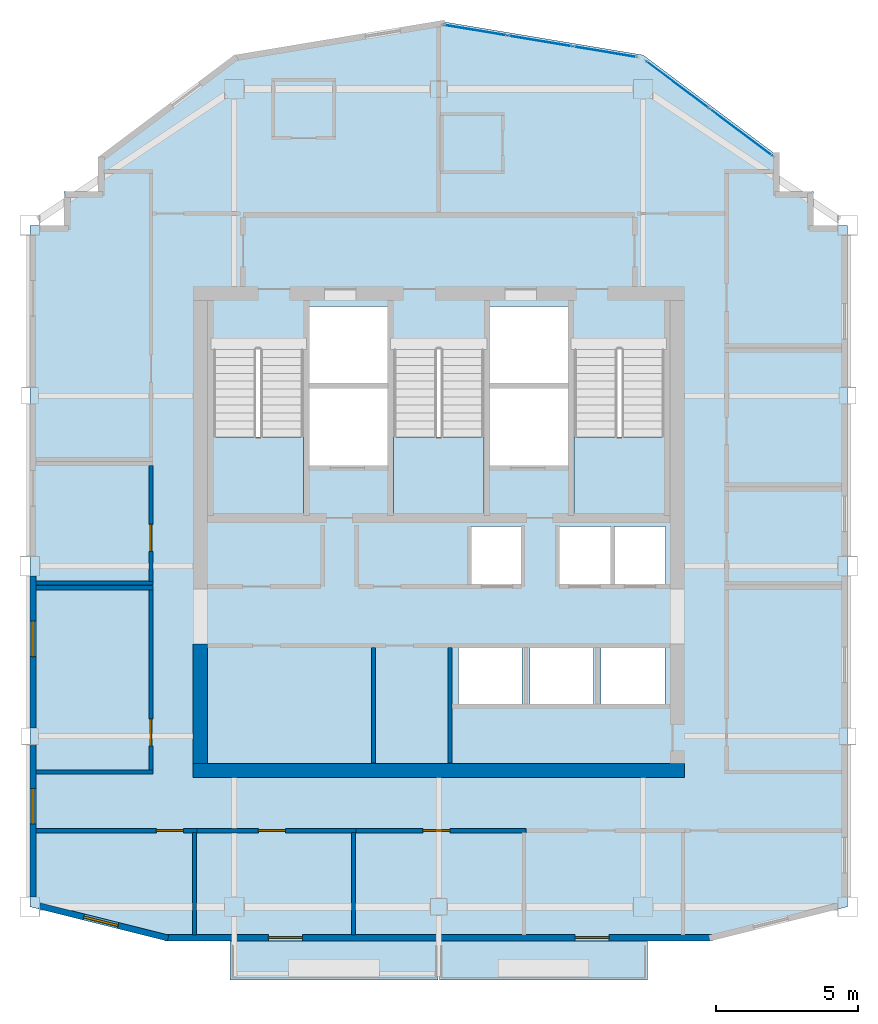
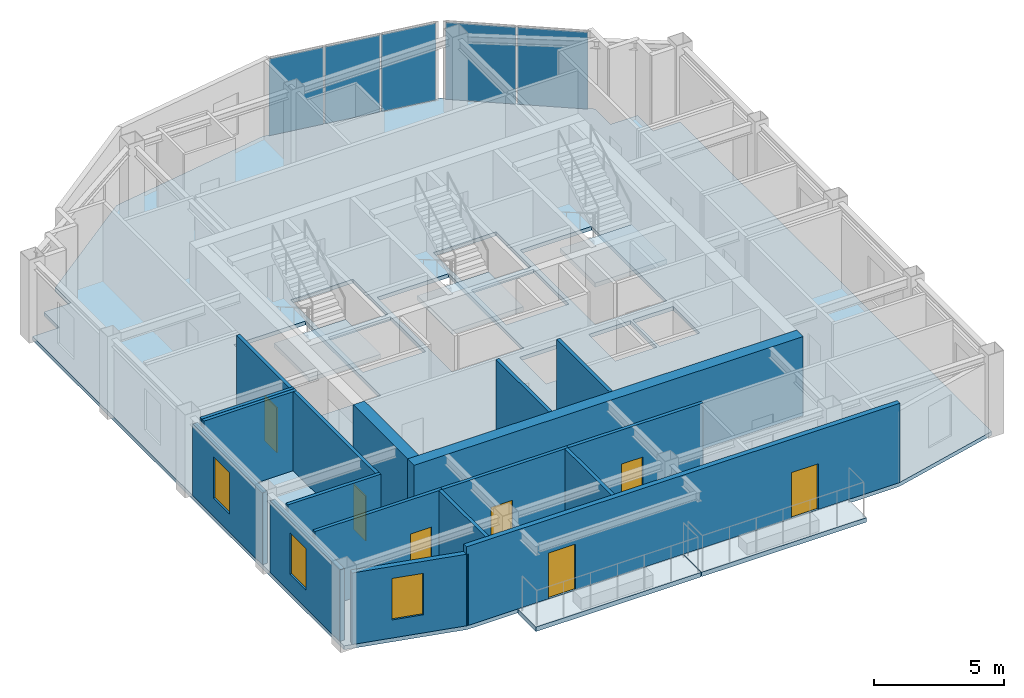
# One storey, part 4 of 8: 18 walls, 7 doors, 6 slabs, 5 plates, 3 windows, 10 openings, 5 elements without a shape of their own.
"""IFC4 building model written with IfcOpenShell, lengths in metres."""

from ifc_helpers import new_model, si_unit, direction, frame, frame_2d, origin, origin_2d, place, context, subcontext, project, spatial, polyline, rectangle, outline, extrude, material, layer, layer_set, type_object, element, fill, aggregate, save


model = new_model("IFC4")

# Units and contexts
model_context = context("Model", 3, precision=1e-05, world=origin(), true_north=direction((0.0, 1.0)))
body_context = subcontext(model_context, "Body", "Model", "MODEL_VIEW")
ifc_project = project(units=[si_unit("LENGTHUNIT", "METRE"), si_unit("AREAUNIT", "SQUARE_METRE"), si_unit("VOLUMEUNIT", "CUBIC_METRE"), si_unit("PLANEANGLEUNIT", "RADIAN"), si_unit("MASSUNIT", "GRAM", prefix="KILO")], contexts=[model_context])

# Site, building, storey
site_placement = place(None, origin())
site = spatial("IfcSite", under=ifc_project, at=site_placement, CompositionType="ELEMENT")
building_placement = place(site_placement, origin())
building = spatial("IfcBuilding", under=site, at=building_placement, Name="Haolan Belvedere Tower", CompositionType="ELEMENT")
storey_placement = place(building_placement, frame((0.0, 0.0, 297.800048828125)))
storey = spatial("IfcBuildingStorey", under=building, at=storey_placement, Name="L75", CompositionType="ELEMENT", Elevation=297.800048828125)

# Curtain wall, plates
ifc_material_1 = material(Name="Anodised champagne-silver aluminium 6063-T6 and Low-E glass", Category="aluminium")
ifc_layer_1 = layer(ifc_material_1, 0.14501953125, Name="Anodised champagne-silver aluminium 6063-T6 and Low-E glass")
ifc_layer_set_1 = layer_set([ifc_layer_1], Name="Anodised champagne-silver aluminium 6063-T6 and Low-E glass")
curtain_wall_type = type_object("IfcCurtainWallType", Name="CW-SYS-05", PredefinedType="NOTDEFINED", material=ifc_layer_set_1)
curtain_wall_1_placement = place(storey_placement, origin())
curtain_wall_1 = element("IfcCurtainWall", 1, at=curtain_wall_1_placement, inside=storey, type_object=curtain_wall_type, Name="L75 CW-SYS-05 ribbon curtain wall 8.1", PredefinedType="NOTDEFINED")
ifc_material_2 = material(Name="Double silver Low-E laminated insulating glass", Category="glass")
ifc_layer_2 = layer(ifc_material_2, 0.02197265625, Name="Double silver Low-E laminated insulating glass")
ifc_layer_set_2 = layer_set([ifc_layer_2], Name="Double silver Low-E laminated insulating glass")
plate_type = type_object("IfcPlateType", Name="CW-SYS-05-PNL", PredefinedType="CURTAIN_PANEL", material=ifc_layer_set_2)
plate_1_placement = place(storey_placement, frame((49.03955078125, 48.8828125, 0.0498046875), z_axis=(0.0, 0.0, 1.0), x_axis=(-0.799997871638, 0.600002837806, 0.0)))
plate_1 = element("IfcPlate", 2, at=plate_1_placement, type_object=plate_type, Name="CW-05 panel 1.1", PredefinedType="CURTAIN_PANEL", context=body_context, shape_type="SweptSolid", body=[
    extrude(rectangle(XDim=2.738037109375, YDim=0.02197265625, at=origin_2d()), origin(), (0.0, 0.0, 1.0), 3.6201171875),
])
plate_2_placement = place(storey_placement, frame((46.805908203125, 50.55810546875, 0.0498046875), z_axis=(0.0, 0.0, 1.0), x_axis=(-0.799997871638, 0.600002837806, 0.0)))
plate_2 = element("IfcPlate", 3, at=plate_2_placement, type_object=plate_type, Name="CW-05 panel 2.1", PredefinedType="CURTAIN_PANEL", context=body_context, shape_type="SweptSolid", body=[
    extrude(rectangle(XDim=2.738037109375, YDim=0.02197265625, at=origin_2d()), origin(), (0.0, 0.0, 1.0), 3.6201171875),
])
aggregate(curtain_wall_1, [plate_1, plate_2])

curtain_wall_2_placement = place(storey_placement, origin())
curtain_wall_2 = element("IfcCurtainWall", 4, at=curtain_wall_2_placement, inside=storey, type_object=curtain_wall_type, Name="L75 CW-SYS-05 ribbon curtain wall 9.1", PredefinedType="NOTDEFINED")
plate_3_placement = place(storey_placement, frame((44.257568359375, 51.712158203125, 0.0498046875), z_axis=(0.0, 0.0, 1.0), x_axis=(-0.98639276122, 0.164405962825, 0.0)))
plate_3 = element("IfcPlate", 5, at=plate_3_placement, type_object=plate_type, Name="CW-05 panel 1.1", PredefinedType="CURTAIN_PANEL", context=body_context, shape_type="SweptSolid", body=[
    extrude(rectangle(XDim=2.24365234375, YDim=0.02197265625, at=origin_2d()), origin(), (0.0, 0.0, 1.0), 3.6201171875),
])
plate_4_placement = place(storey_placement, frame((41.977783203125, 52.09228515625, 0.0498046875), z_axis=(0.0, 0.0, 1.0), x_axis=(-0.98639276122, 0.164405962825, 0.0)))
plate_4 = element("IfcPlate", 6, at=plate_4_placement, type_object=plate_type, Name="CW-05 panel 2.1", PredefinedType="CURTAIN_PANEL", context=body_context, shape_type="SweptSolid", body=[
    extrude(rectangle(XDim=2.270751953125, YDim=0.02197265625, at=origin_2d()), origin(), (0.0, 0.0, 1.0), 3.6201171875),
])
plate_5_placement = place(storey_placement, frame((39.697998046875, 52.47216796875, 0.0498046875), z_axis=(0.0, 0.0, 1.0), x_axis=(-0.98639276122, 0.164405962825, 0.0)))
plate_5 = element("IfcPlate", 7, at=plate_5_placement, type_object=plate_type, Name="CW-05 panel 3.1", PredefinedType="CURTAIN_PANEL", context=body_context, shape_type="SweptSolid", body=[
    extrude(rectangle(XDim=2.24365234375, YDim=0.02197265625, at=origin_2d()), origin(), (0.0, 0.0, 1.0), 3.6201171875),
])
aggregate(curtain_wall_2, [plate_3, plate_4, plate_5])

# Slabs
ifc_material_3 = material(Name="Concrete C40/50", Category="concrete")
ifc_layer_3 = layer(ifc_material_3, 0.2099609375, Name="Concrete C40/50")
ifc_layer_set_3 = layer_set([ifc_layer_3], Name="Concrete C40/50")
slab_type_1 = type_object("IfcSlabType", Name="SL-BAL-210", PredefinedType="FLOOR", material=ifc_layer_set_3)
slab_1_placement = place(storey_placement, frame((0.0, 0.0, -0.22998046875)))
element("IfcSlab", 8, at=slab_1_placement, inside=storey, type_object=slab_type_1, Name="L75 structural tree-planter balcony slab BAL-L75-S1", PredefinedType="FLOOR", context=body_context, shape_type="SweptSolid", body=[
    extrude(outline(polyline([(31.050048828125, 19.02001953125), (38.3798828125, 19.02001953125), (38.3798828125, 20.39990234375), (31.050048828125, 20.39990234375), (31.050048828125, 19.02001953125)])), origin(), (0.0, 0.0, 1.0), 0.2099609375),
])
slab_2_placement = place(storey_placement, frame((0.0, 0.0, -0.22998046875)))
element("IfcSlab", 9, at=slab_2_placement, inside=storey, type_object=slab_type_1, Name="L75 structural tree-planter balcony slab BAL-L75-S2", PredefinedType="FLOOR", context=body_context, shape_type="SweptSolid", body=[
    extrude(outline(polyline([(38.419921875, 19.02001953125), (45.75, 19.02001953125), (45.75, 20.39990234375), (38.419921875, 20.39990234375), (38.419921875, 19.02001953125)])), origin(), (0.0, 0.0, 1.0), 0.2099609375),
])
ifc_layer_4 = layer(ifc_material_3, 0.179931640625, Name="Concrete C40/50")
ifc_layer_set_4 = layer_set([ifc_layer_4], Name="Concrete C40/50")
slab_type_2 = type_object("IfcSlabType", Name="SL-FLR-180", PredefinedType="FLOOR", material=ifc_layer_set_4)
slab_3_placement = place(storey_placement, frame((0.0, 0.0, -0.179931640625)))
element("IfcSlab", 10, at=slab_3_placement, inside=storey, type_object=slab_type_2, Name="L75 structural floor slab", PredefinedType="FLOOR", context=body_context, shape_type="SweptSolid", body=[
    extrude(outline(polyline([(24.0, 21.60009765625), (28.800048828125, 20.39990234375), (48.0, 20.39990234375), (52.800048828125, 21.60009765625), (52.800048828125, 45.60009765625), (52.800048828125, 45.60009765625), (51.60009765625, 45.60009765625), (51.60009765625, 46.800048828125), (50.39990234375, 46.800048828125), (50.39990234375, 48.0), (45.60009765625, 51.60009765625), (38.39990234375, 52.800048828125), (31.199951171875, 51.60009765625), (26.39990234375, 48.0), (26.39990234375, 46.800048828125), (25.199951171875, 46.800048828125), (25.199951171875, 45.60009765625), (24.0, 45.60009765625), (24.0, 45.60009765625), (24.0, 21.60009765625)]), holes=[polyline([(30.449951171875, 41.22998046875), (30.449951171875, 35.449951171875), (33.6298828125, 35.449951171875), (33.6298828125, 41.22998046875), (30.449951171875, 41.22998046875)]), polyline([(36.81005859375, 41.22998046875), (36.81005859375, 35.449951171875), (39.989990234375, 35.449951171875), (39.989990234375, 41.22998046875), (36.81005859375, 41.22998046875)]), polyline([(43.169921875, 41.22998046875), (43.169921875, 35.449951171875), (46.35009765625, 35.449951171875), (46.35009765625, 41.22998046875), (43.169921875, 41.22998046875)]), polyline([(33.830078125, 40.050048828125), (36.610107421875, 40.050048828125), (36.610107421875, 42.75), (33.830078125, 42.75), (33.830078125, 40.050048828125)]), polyline([(33.830078125, 37.14990234375), (36.610107421875, 37.14990234375), (36.610107421875, 39.85009765625), (33.830078125, 39.85009765625), (33.830078125, 37.14990234375)]), polyline([(40.18994140625, 40.050048828125), (42.969970703125, 40.050048828125), (42.969970703125, 42.75), (40.18994140625, 42.75), (40.18994140625, 40.050048828125)]), polyline([(40.18994140625, 37.14990234375), (42.969970703125, 37.14990234375), (42.969970703125, 39.85009765625), (40.18994140625, 39.85009765625), (40.18994140625, 37.14990234375)]), polyline([(39.5400390625, 32.949951171875), (41.389892578125, 32.949951171875), (41.389892578125, 35.0), (39.5400390625, 35.0), (39.5400390625, 32.949951171875)]), polyline([(42.6201171875, 32.949951171875), (44.469970703125, 32.949951171875), (44.469970703125, 35.0), (42.6201171875, 35.0), (42.6201171875, 32.949951171875)]), polyline([(44.580078125, 32.949951171875), (46.3798828125, 32.949951171875), (46.3798828125, 35.0), (44.580078125, 35.0), (44.580078125, 32.949951171875)]), polyline([(39.10009765625, 28.75), (41.340087890625, 28.75), (41.340087890625, 30.75), (39.10009765625, 30.75), (39.10009765625, 28.75)]), polyline([(41.610107421875, 28.75), (43.85009765625, 28.75), (43.85009765625, 30.75), (41.610107421875, 30.75), (41.610107421875, 28.75)]), polyline([(44.1201171875, 28.75), (46.360107421875, 28.75), (46.360107421875, 30.75), (44.1201171875, 30.75), (44.1201171875, 28.75)])]), origin(), (0.0, 0.0, 1.0), 0.179931640625),
])

# Stair, slab
stair_type = type_object("IfcStairType", Name="STR-DL-24R-162", PredefinedType="HALF_TURN_STAIR", material=ifc_material_3)
stair_1_placement = place(storey_placement, origin())
stair_1 = element("IfcStair", 11, at=stair_1_placement, inside=storey, type_object=stair_type, Name="L75 Smokeproof Core Exit Stair ST1", PredefinedType="HALF_TURN_STAIR")
ifc_layer_5 = layer(ifc_material_3, 0.199951171875, Name="Concrete C40/50")
ifc_layer_set_5 = layer_set([ifc_layer_5], Name="Concrete C40/50")
slab_type_3 = type_object("IfcSlabType", Name="SL-LAND-200", PredefinedType="LANDING", material=ifc_layer_set_5)
slab_4_placement = place(storey_placement, frame((0.0, 0.0, 1.75)))
slab_4 = element("IfcSlab", 12, at=slab_4_placement, type_object=slab_type_3, Name="ST1 landing 1", PredefinedType="LANDING", context=body_context, shape_type="SweptSolid", body=[
    extrude(outline(polyline([(30.449951171875, 38.14990234375), (30.449951171875, 35.449951171875), (33.6298828125, 35.449951171875), (33.6298828125, 38.14990234375), (30.449951171875, 38.14990234375)])), origin(), (0.0, 0.0, 1.0), 0.199951171875),
])
aggregate(stair_1, [slab_4])

stair_2_placement = place(storey_placement, origin())
stair_2 = element("IfcStair", 13, at=stair_2_placement, inside=storey, type_object=stair_type, Name="L75 Smokeproof Core Exit Stair ST3", PredefinedType="HALF_TURN_STAIR")
slab_5_placement = place(storey_placement, frame((0.0, 0.0, 1.75)))
slab_5 = element("IfcSlab", 14, at=slab_5_placement, type_object=slab_type_3, Name="ST3 landing 1", PredefinedType="LANDING", context=body_context, shape_type="SweptSolid", body=[
    extrude(outline(polyline([(36.81005859375, 38.14990234375), (36.81005859375, 35.449951171875), (39.989990234375, 35.449951171875), (39.989990234375, 38.14990234375), (36.81005859375, 38.14990234375)])), origin(), (0.0, 0.0, 1.0), 0.199951171875),
])
aggregate(stair_2, [slab_5])

stair_3_placement = place(storey_placement, origin())
stair_3 = element("IfcStair", 15, at=stair_3_placement, inside=storey, type_object=stair_type, Name="L75 Smokeproof Core Exit Stair ST2", PredefinedType="HALF_TURN_STAIR")
slab_6_placement = place(storey_placement, frame((0.0, 0.0, 1.75)))
slab_6 = element("IfcSlab", 16, at=slab_6_placement, type_object=slab_type_3, Name="ST2 landing 1", PredefinedType="LANDING", context=body_context, shape_type="SweptSolid", body=[
    extrude(outline(polyline([(43.169921875, 38.14990234375), (43.169921875, 35.449951171875), (46.35009765625, 35.449951171875), (46.35009765625, 38.14990234375), (43.169921875, 38.14990234375)])), origin(), (0.0, 0.0, 1.0), 0.199951171875),
])
aggregate(stair_3, [slab_6])

# Walls
ifc_material_4 = material(Name="Concrete C50/60", Category="concrete")
ifc_layer_6 = layer(ifc_material_4, 0.5, Name="Concrete C50/60")
ifc_layer_set_6 = layer_set([ifc_layer_6], Name="Concrete C50/60")
wall_type_1 = type_object("IfcWallType", Name="WL-CORE-500", PredefinedType="SHEAR", material=ifc_layer_set_6)
wall_1_placement = place(storey_placement, frame((29.75, 26.39990234375, 0.0), z_axis=(0.0, 0.0, 1.0), x_axis=(1.0, 0.0, 0.0)))
element("IfcWall", 17, at=wall_1_placement, inside=storey, type_object=wall_type_1, Name="L75 central core south shear wall", PredefinedType="SHEAR", context=body_context, shape_type="SweptSolid", body=[
    extrude(rectangle(XDim=17.300048828125, YDim=0.5, at=frame_2d((8.64990234375, 0.0))), origin(), (0.0, 0.0, 1.0), 3.719970703125),
])
wall_2_placement = place(storey_placement, frame((30.0, 26.64990234375, 0.0), z_axis=(0.0, 0.0, 1.0), x_axis=(0.0, 1.0, 0.0)))
element("IfcWall", 18, at=wall_2_placement, inside=storey, type_object=wall_type_1, Name="L75 central core shear wall WS", PredefinedType="SHEAR", context=body_context, shape_type="SweptSolid", body=[
    extrude(rectangle(XDim=4.2001953125, YDim=0.5, at=frame_2d((2.10009765625, 0.0))), origin(), (0.0, 0.0, 1.0), 3.719970703125),
])

# Wall, openings, doors
ifc_material_5 = material(Name="Precast concrete C40/50", Category="concrete")
ifc_layer_7 = layer(ifc_material_5, 0.219970703125, Name="Precast concrete C40/50")
ifc_layer_set_7 = layer_set([ifc_layer_7], Name="Precast concrete C40/50")
wall_type_2 = type_object("IfcWallType", Name="WL-EXT-220", PredefinedType="SOLIDWALL", material=ifc_layer_set_7)
wall_3_placement = place(storey_placement, frame((28.758544921875, 20.510009765625, 0.0), z_axis=(0.0, 0.0, 1.0), x_axis=(1.0, 0.0, 0.0)))
wall_3 = element("IfcWall", 19, at=wall_3_placement, inside=storey, type_object=wall_type_2, Name="L75 pale-metal exterior spandrel wall 1.1", PredefinedType="SOLIDWALL", context=body_context, shape_type="SweptSolid", body=[
    extrude(rectangle(XDim=19.282958984375, YDim=0.219970703125, at=frame_2d((9.6416015625, 0.0))), origin(), (0.0, 0.0, 1.0), 3.719970703125),
])
opening_1_placement = place(wall_3_placement, frame((4.841552734375, 0.0, 0.0), z_axis=(0.0, 0.0, 1.0), x_axis=(-1.0, 0.0, 0.0)))
opening_1 = element("IfcOpeningElement", 20, at=opening_1_placement, cuts=wall_3, Name="Opening BD-01", PredefinedType="OPENING", context=body_context, shape_type="SweptSolid", body=[
    extrude(rectangle(XDim=1.199951171875, YDim=2.14990234375, at=frame_2d((0.60009765625, 1.074951171875))), frame((0.0, 0.119873046875, 0.0), z_axis=(0.0, -1.0, 0.0), x_axis=(1.0, 0.0, 0.0)), (0.0, 0.0, 1.0), 0.239990234375),
])
opening_2_placement = place(wall_3_placement, frame((15.641357421875, 0.0, 0.0), z_axis=(0.0, 0.0, 1.0), x_axis=(-1.0, 0.0, 0.0)))
opening_2 = element("IfcOpeningElement", 21, at=opening_2_placement, cuts=wall_3, Name="Opening BD-01", PredefinedType="OPENING", context=body_context, shape_type="SweptSolid", body=[
    extrude(rectangle(XDim=1.199951171875, YDim=2.14990234375, at=frame_2d((0.60009765625, 1.074951171875))), frame((0.0, 0.119873046875, 0.0), z_axis=(0.0, -1.0, 0.0), x_axis=(1.0, 0.0, 0.0)), (0.0, 0.0, 1.0), 0.239990234375),
])
ifc_material_6 = material(Name="Thermally broken pale-metal aluminium and Low-E glass", Category="aluminium")
door_type_1 = type_object("IfcDoorType", Name="DR-BAL-1200", OperationType="NOTDEFINED", PredefinedType="DOOR", material=ifc_material_6)
door_1_placement = place(opening_1_placement, origin())
door_1 = element("IfcDoor", 22, at=door_1_placement, inside=storey, type_object=door_type_1, Name="L75 tree-balcony access door 1", OperationType="SINGLE_SWING_LEFT", OverallHeight=2.14990234375, OverallWidth=1.199951171875, PredefinedType="DOOR", context=body_context, shape_type="SweptSolid", body=[
    extrude(rectangle(XDim=1.199951171875, YDim=2.14990234375, at=frame_2d((0.60009765625, 1.074951171875))), frame((0.0, 0.02490234375, 0.0), z_axis=(0.0, -1.0, 0.0), x_axis=(1.0, 0.0, 0.0)), (0.0, 0.0, 1.0), 0.050048828125),
])
fill(opening_1, door_1)
door_2_placement = place(opening_2_placement, origin())
door_2 = element("IfcDoor", 23, at=door_2_placement, inside=storey, type_object=door_type_1, Name="L75 tree-balcony access door 2", OperationType="SINGLE_SWING_RIGHT", OverallHeight=2.14990234375, OverallWidth=1.199951171875, PredefinedType="DOOR", context=body_context, shape_type="SweptSolid", body=[
    extrude(rectangle(XDim=1.199951171875, YDim=2.14990234375, at=frame_2d((0.60009765625, 1.074951171875))), frame((0.0, 0.02490234375, 0.0), z_axis=(0.0, -1.0, 0.0), x_axis=(1.0, 0.0, 0.0)), (0.0, 0.0, 1.0), 0.050048828125),
])
fill(opening_2, door_2)

# Wall, opening, window
wall_4_placement = place(storey_placement, frame((24.110107421875, 33.258056640625, 0.0), z_axis=(0.0, 0.0, 1.0), x_axis=(0.0, -1.0, 0.0)))
wall_4 = element("IfcWall", 24, at=wall_4_placement, inside=storey, type_object=wall_type_2, Name="L75 pale-metal exterior spandrel wall 16.3", PredefinedType="SOLIDWALL", context=body_context, shape_type="SweptSolid", body=[
    extrude(rectangle(XDim=5.365966796875, YDim=0.219970703125, at=frame_2d((2.68310546875, 0.0))), origin(), (0.0, 0.0, 1.0), 3.364990234375),
])
opening_3_placement = place(wall_4_placement, frame((1.60009765625, 0.0, 0.85009765625)))
opening_3 = element("IfcOpeningElement", 25, at=opening_3_placement, cuts=wall_4, Name="Opening W-04", PredefinedType="OPENING", context=body_context, shape_type="SweptSolid", body=[
    extrude(rectangle(XDim=1.25, YDim=1.949951171875, at=frame_2d((0.625, 0.97509765625))), frame((0.0, 0.119873046875, 0.0), z_axis=(0.0, -1.0, 0.0), x_axis=(1.0, 0.0, 0.0)), (0.0, 0.0, 1.0), 0.239990234375),
])
ifc_material_7 = material(Name="Anodised aluminium 6063-T6 and Low-E glass", Category="aluminium")
window_type = type_object("IfcWindowType", Name="WN-DECO-Z4", PartitioningType="SINGLE_PANEL", PredefinedType="WINDOW", material=ifc_material_7)
window_1_placement = place(opening_3_placement, origin())
window_1 = element("IfcWindow", 26, at=window_1_placement, inside=storey, type_object=window_type, Name="L75 Art Deco chevron window 1", OverallHeight=1.949951171875, OverallWidth=1.25, PartitioningType="SINGLE_PANEL", PredefinedType="WINDOW", context=body_context, shape_type="SweptSolid", body=[
    extrude(rectangle(XDim=1.25, YDim=1.949951171875, at=frame_2d((0.625, 0.97509765625))), frame((0.0, 0.030029296875, 0.0), z_axis=(0.0, -1.0, 0.0), x_axis=(1.0, 0.0, 0.0)), (0.0, 0.0, 1.0), 0.06005859375),
])
fill(opening_3, window_1)

wall_5_placement = place(storey_placement, frame((24.110107421875, 27.30810546875, 0.0), z_axis=(0.0, 0.0, 1.0), x_axis=(0.0, -1.0, 0.0)))
wall_5 = element("IfcWall", 27, at=wall_5_placement, inside=storey, type_object=wall_type_2, Name="L75 pale-metal exterior spandrel wall 16.4", PredefinedType="SOLIDWALL", context=body_context, shape_type="SweptSolid", body=[
    extrude(rectangle(XDim=5.3662109375, YDim=0.219970703125, at=frame_2d((2.68310546875, 0.0))), origin(), (0.0, 0.0, 1.0), 3.364990234375),
])
opening_4_placement = place(wall_5_placement, frame((1.54296875, 0.0, 0.85009765625)))
opening_4 = element("IfcOpeningElement", 28, at=opening_4_placement, cuts=wall_5, Name="Opening W-04", PredefinedType="OPENING", context=body_context, shape_type="SweptSolid", body=[
    extrude(rectangle(XDim=1.25, YDim=1.949951171875, at=frame_2d((0.625, 0.97509765625))), frame((0.0, 0.119873046875, 0.0), z_axis=(0.0, -1.0, 0.0), x_axis=(1.0, 0.0, 0.0)), (0.0, 0.0, 1.0), 0.239990234375),
])
window_2_placement = place(opening_4_placement, origin())
window_2 = element("IfcWindow", 29, at=window_2_placement, inside=storey, type_object=window_type, Name="L75 Art Deco chevron window 1", OverallHeight=1.949951171875, OverallWidth=1.25, PartitioningType="SINGLE_PANEL", PredefinedType="WINDOW", context=body_context, shape_type="SweptSolid", body=[
    extrude(rectangle(XDim=1.25, YDim=1.949951171875, at=frame_2d((0.625, 0.97509765625))), frame((0.0, 0.030029296875, 0.0), z_axis=(0.0, -1.0, 0.0), x_axis=(1.0, 0.0, 0.0)), (0.0, 0.0, 1.0), 0.06005859375),
])
fill(opening_4, window_2)

wall_6_placement = place(storey_placement, frame((24.342041015625, 21.6279296875, 0.0), z_axis=(0.0, 0.0, 1.0), x_axis=(0.970136341762, -0.242560257242, 0.0)))
wall_6 = element("IfcWall", 30, at=wall_6_placement, inside=storey, type_object=wall_type_2, Name="L75 pale-metal exterior spandrel wall 17.1", PredefinedType="SOLIDWALL", context=body_context, shape_type="SweptSolid", body=[
    extrude(rectangle(XDim=4.664306640625, YDim=0.219970703125, at=frame_2d((2.33203125, 0.0))), origin(), (0.0, 0.0, 1.0), 3.364990234375),
])
opening_5_placement = place(wall_6_placement, frame((1.60009765625, 0.0, 0.85009765625)))
opening_5 = element("IfcOpeningElement", 31, at=opening_5_placement, cuts=wall_6, Name="Opening W-04", PredefinedType="OPENING", context=body_context, shape_type="SweptSolid", body=[
    extrude(rectangle(XDim=1.25, YDim=1.949951171875, at=frame_2d((0.625, 0.97509765625))), frame((0.0, 0.119873046875, 0.0), z_axis=(0.0, -1.0, 0.0), x_axis=(1.0, 0.0, 0.0)), (0.0, 0.0, 1.0), 0.239990234375),
])
window_3_placement = place(opening_5_placement, origin())
window_3 = element("IfcWindow", 32, at=window_3_placement, inside=storey, type_object=window_type, Name="L75 Art Deco chevron window 1", OverallHeight=1.949951171875, OverallWidth=1.25, PartitioningType="SINGLE_PANEL", PredefinedType="WINDOW", context=body_context, shape_type="SweptSolid", body=[
    extrude(rectangle(XDim=1.25, YDim=1.949951171875, at=frame_2d((0.625, 0.97509765625))), frame((0.0, 0.030029296875, 0.0), z_axis=(0.0, -1.0, 0.0), x_axis=(1.0, 0.0, 0.0)), (0.0, 0.0, 1.0), 0.06005859375),
])
fill(opening_5, window_3)

# Walls
ifc_material_8 = material(Name="Double gypsum acoustic stud partition", Category="masonry")
ifc_layer_8 = layer(ifc_material_8, 0.14990234375, Name="Double gypsum acoustic stud partition")
ifc_layer_set_8 = layer_set([ifc_layer_8], Name="Double gypsum acoustic stud partition")
wall_type_3 = type_object("IfcWallType", Name="WL-PART-150", PredefinedType="PARTITIONING", material=ifc_layer_set_8)
wall_7_placement = place(storey_placement, frame((36.10009765625, 26.659912109375, 0.0), z_axis=(0.0, 0.0, 1.0), x_axis=(0.0, 1.0, 0.0)))
element("IfcWall", 33, at=wall_7_placement, inside=storey, type_object=wall_type_3, Name="L75 interior partition IW-L75-DIV-REUSE-PM", PredefinedType="PARTITIONING", context=body_context, shape_type="SweptSolid", body=[
    extrude(rectangle(XDim=4.0751953125, YDim=0.14990234375, at=frame_2d((2.03759765625, 0.0))), origin(), (0.0, 0.0, 1.0), 3.719970703125),
])
wall_8_placement = place(storey_placement, frame((24.2119140625, 33.0, 0.0), z_axis=(0.0, 0.0, 1.0), x_axis=(1.0, 0.0, 0.0)))
element("IfcWall", 34, at=wall_8_placement, inside=storey, type_object=wall_type_3, Name="L75 interior partition IW-L75-HSK-S", PredefinedType="PARTITIONING", context=body_context, shape_type="SweptSolid", body=[
    extrude(rectangle(XDim=4.128173828125, YDim=0.14990234375, at=frame_2d((2.06396484375, 0.0))), origin(), (0.0, 0.0, 1.0), 3.719970703125),
])

# Wall, opening, door
wall_9_placement = place(storey_placement, frame((28.260009765625, 33.06005859375, 0.0), z_axis=(0.0, 0.0, 1.0), x_axis=(0.0, 1.0, 0.0)))
wall_9 = element("IfcWall", 35, at=wall_9_placement, inside=storey, type_object=wall_type_3, Name="L75 interior partition IW-L75-HSK-E", PredefinedType="PARTITIONING", context=body_context, shape_type="SweptSolid", body=[
    extrude(rectangle(XDim=4.079833984375, YDim=0.14990234375, at=frame_2d((2.0400390625, 0.0))), origin(), (0.0, 0.0, 1.0), 3.719970703125),
])
opening_6_placement = place(wall_9_placement, frame((2.010009765625, 0.0, 0.0), z_axis=(0.0, 0.0, 1.0), x_axis=(-1.0, 0.0, 0.0)))
opening_6 = element("IfcOpeningElement", 36, at=opening_6_placement, cuts=wall_9, Name="Opening ID-03", PredefinedType="OPENING", context=body_context, shape_type="SweptSolid", body=[
    extrude(rectangle(XDim=0.949951171875, YDim=2.1201171875, at=frame_2d((0.47509765625, 1.06005859375))), frame((0.0, 0.0849609375, 0.0), z_axis=(0.0, -1.0, 0.0), x_axis=(1.0, 0.0, 0.0)), (0.0, 0.0, 1.0), 0.169921875),
])
ifc_material_9 = material(Name="Painted solid-core timber", Category="wood")
door_type_2 = type_object("IfcDoorType", Name="DR-INT-950", OperationType="NOTDEFINED", PredefinedType="DOOR", material=ifc_material_9)
door_3_placement = place(opening_6_placement, origin())
door_3 = element("IfcDoor", 37, at=door_3_placement, inside=storey, type_object=door_type_2, Name="L75 door ID-L75-HSK", OperationType="SINGLE_SWING_LEFT", OverallHeight=2.1201171875, OverallWidth=0.949951171875, PredefinedType="DOOR", context=body_context, shape_type="SweptSolid", body=[
    extrude(rectangle(XDim=0.949951171875, YDim=2.1201171875, at=frame_2d((0.47509765625, 1.06005859375))), frame((0.0, 0.02490234375, 0.0), z_axis=(0.0, -1.0, 0.0), x_axis=(1.0, 0.0, 0.0)), (0.0, 0.0, 1.0), 0.050048828125),
])
fill(opening_6, door_3)

# Walls
for number, where, z_axis, x_axis, name in (
    (38, (24.2119140625, 32.840087890625, 0.0), (0.0, 0.0, 1.0), (1.0, 0.0, 0.0), "L75 interior partition IW-L75-PKTW-N"),
    (39, (24.2119140625, 26.35009765625, 0.0), (0.0, 0.0, 1.0), (1.0, 0.0, 0.0), "L75 interior partition IW-L75-PKTW-S"),
):
    element("IfcWall", number, at=place(storey_placement, frame(where, z_axis=z_axis, x_axis=x_axis)), inside=storey, type_object=wall_type_3, Name=name, PredefinedType="PARTITIONING", context=body_context, shape_type="SweptSolid", body=[
        extrude(rectangle(XDim=4.128173828125, YDim=0.14990234375, at=frame_2d((2.06396484375, 0.0))), origin(), (0.0, 0.0, 1.0), 3.719970703125),
    ])

# Wall, opening, door
wall_10_placement = place(storey_placement, frame((28.260009765625, 26.409912109375, 0.0), z_axis=(0.0, 0.0, 1.0), x_axis=(0.0, 1.0, 0.0)))
wall_10 = element("IfcWall", 40, at=wall_10_placement, inside=storey, type_object=wall_type_3, Name="L75 interior partition IW-L75-PKTW-E", PredefinedType="PARTITIONING", context=body_context, shape_type="SweptSolid", body=[
    extrude(rectangle(XDim=6.3701171875, YDim=0.14990234375, at=frame_2d((3.18505859375, 0.0))), origin(), (0.0, 0.0, 1.0), 3.719970703125),
])
opening_7_placement = place(wall_10_placement, frame((1.81005859375, 0.0, 0.0), z_axis=(0.0, 0.0, 1.0), x_axis=(-1.0, 0.0, 0.0)))
opening_7 = element("IfcOpeningElement", 41, at=opening_7_placement, cuts=wall_10, Name="Opening ID-03", PredefinedType="OPENING", context=body_context, shape_type="SweptSolid", body=[
    extrude(rectangle(XDim=0.949951171875, YDim=2.1201171875, at=frame_2d((0.47509765625, 1.06005859375))), frame((0.0, 0.0849609375, 0.0), z_axis=(0.0, -1.0, 0.0), x_axis=(1.0, 0.0, 0.0)), (0.0, 0.0, 1.0), 0.169921875),
])
door_4_placement = place(opening_7_placement, origin())
door_4 = element("IfcDoor", 42, at=door_4_placement, inside=storey, type_object=door_type_2, Name="L75 door ID-L75-PKTW", OperationType="SINGLE_SWING_LEFT", OverallHeight=2.1201171875, OverallWidth=0.949951171875, PredefinedType="DOOR", context=body_context, shape_type="SweptSolid", body=[
    extrude(rectangle(XDim=0.949951171875, YDim=2.1201171875, at=frame_2d((0.47509765625, 1.06005859375))), frame((0.0, 0.02490234375, 0.0), z_axis=(0.0, -1.0, 0.0), x_axis=(1.0, 0.0, 0.0)), (0.0, 0.0, 1.0), 0.050048828125),
])
fill(opening_7, door_4)

wall_11_placement = place(storey_placement, frame((24.2119140625, 24.280029296875, 0.0), z_axis=(0.0, 0.0, 1.0), x_axis=(1.0, 0.0, 0.0)))
wall_11 = element("IfcWall", 43, at=wall_11_placement, inside=storey, type_object=wall_type_3, Name="L75 interior partition IW-L75-KS1-N", PredefinedType="PARTITIONING", context=body_context, shape_type="SweptSolid", body=[
    extrude(rectangle(XDim=5.66796875, YDim=0.14990234375, at=frame_2d((2.833984375, 0.0))), origin(), (0.0, 0.0, 1.0), 3.719970703125),
])
opening_8_placement = place(wall_11_placement, frame((5.19287109375, 0.0, 0.0), z_axis=(0.0, 0.0, 1.0), x_axis=(-1.0, 0.0, 0.0)))
opening_8 = element("IfcOpeningElement", 44, at=opening_8_placement, cuts=wall_11, Name="Opening ID-03", PredefinedType="OPENING", context=body_context, shape_type="SweptSolid", body=[
    extrude(rectangle(XDim=0.949951171875, YDim=2.1201171875, at=frame_2d((0.47509765625, 1.06005859375))), frame((0.0, 0.0849609375, 0.0), z_axis=(0.0, -1.0, 0.0), x_axis=(1.0, 0.0, 0.0)), (0.0, 0.0, 1.0), 0.169921875),
])
door_5_placement = place(opening_8_placement, origin())
door_5 = element("IfcDoor", 45, at=door_5_placement, inside=storey, type_object=door_type_2, Name="L75 door ID-L75-KS1", OperationType="SINGLE_SWING_LEFT", OverallHeight=2.1201171875, OverallWidth=0.949951171875, PredefinedType="DOOR", context=body_context, shape_type="SweptSolid", body=[
    extrude(rectangle(XDim=0.949951171875, YDim=2.1201171875, at=frame_2d((0.47509765625, 1.06005859375))), frame((0.0, 0.02490234375, 0.0), z_axis=(0.0, -1.0, 0.0), x_axis=(1.0, 0.0, 0.0)), (0.0, 0.0, 1.0), 0.050048828125),
])
fill(opening_8, door_5)

# Wall
wall_12_placement = place(storey_placement, frame((29.800048828125, 20.612060546875, 0.0), z_axis=(0.0, 0.0, 1.0), x_axis=(0.0, 1.0, 0.0)))
element("IfcWall", 46, at=wall_12_placement, inside=storey, type_object=wall_type_3, Name="L75 interior partition IW-L75-KS1-E", PredefinedType="PARTITIONING", context=body_context, shape_type="SweptSolid", body=[
    extrude(rectangle(XDim=3.60791015625, YDim=0.14990234375, at=frame_2d((1.803955078125, 0.0))), origin(), (0.0, 0.0, 1.0), 3.719970703125),
])

# Wall, opening, door
wall_13_placement = place(storey_placement, frame((29.882080078125, 24.280029296875, 0.0), z_axis=(0.0, 0.0, 1.0), x_axis=(1.0, 0.0, 0.0)))
wall_13 = element("IfcWall", 47, at=wall_13_placement, inside=storey, type_object=wall_type_3, Name="L75 interior partition IW-L75-KS2-N", PredefinedType="PARTITIONING", context=body_context, shape_type="SweptSolid", body=[
    extrude(rectangle(XDim=5.597900390625, YDim=0.14990234375, at=frame_2d((2.798828125, 0.0))), origin(), (0.0, 0.0, 1.0), 3.719970703125),
])
opening_9_placement = place(wall_13_placement, frame((3.113037109375, 0.0, 0.0), z_axis=(0.0, 0.0, 1.0), x_axis=(-1.0, 0.0, 0.0)))
opening_9 = element("IfcOpeningElement", 48, at=opening_9_placement, cuts=wall_13, Name="Opening ID-03", PredefinedType="OPENING", context=body_context, shape_type="SweptSolid", body=[
    extrude(rectangle(XDim=0.949951171875, YDim=2.1201171875, at=frame_2d((0.47509765625, 1.06005859375))), frame((0.0, 0.0849609375, 0.0), z_axis=(0.0, -1.0, 0.0), x_axis=(1.0, 0.0, 0.0)), (0.0, 0.0, 1.0), 0.169921875),
])
door_6_placement = place(opening_9_placement, origin())
door_6 = element("IfcDoor", 49, at=door_6_placement, inside=storey, type_object=door_type_2, Name="L75 door ID-L75-KS2", OperationType="SINGLE_SWING_RIGHT", OverallHeight=2.1201171875, OverallWidth=0.949951171875, PredefinedType="DOOR", context=body_context, shape_type="SweptSolid", body=[
    extrude(rectangle(XDim=0.949951171875, YDim=2.1201171875, at=frame_2d((0.47509765625, 1.06005859375))), frame((0.0, 0.02490234375, 0.0), z_axis=(0.0, -1.0, 0.0), x_axis=(1.0, 0.0, 0.0)), (0.0, 0.0, 1.0), 0.050048828125),
])
fill(opening_9, door_6)

# Wall
wall_14_placement = place(storey_placement, frame((35.39990234375, 20.612060546875, 0.0), z_axis=(0.0, 0.0, 1.0), x_axis=(0.0, 1.0, 0.0)))
element("IfcWall", 50, at=wall_14_placement, inside=storey, type_object=wall_type_3, Name="L75 interior partition IW-L75-KS2-E", PredefinedType="PARTITIONING", context=body_context, shape_type="SweptSolid", body=[
    extrude(rectangle(XDim=3.60791015625, YDim=0.14990234375, at=frame_2d((1.803955078125, 0.0))), origin(), (0.0, 0.0, 1.0), 3.719970703125),
])

# Wall, opening, door
wall_15_placement = place(storey_placement, frame((35.48193359375, 24.280029296875, 0.0), z_axis=(0.0, 0.0, 1.0), x_axis=(1.0, 0.0, 0.0)))
wall_15 = element("IfcWall", 51, at=wall_15_placement, inside=storey, type_object=wall_type_3, Name="L75 interior partition IW-L75-KS3-N", PredefinedType="PARTITIONING", context=body_context, shape_type="SweptSolid", body=[
    extrude(rectangle(XDim=5.998046875, YDim=0.14990234375, at=frame_2d((2.9990234375, 0.0))), origin(), (0.0, 0.0, 1.0), 3.719970703125),
])
opening_10_placement = place(wall_15_placement, frame((3.31298828125, 0.0, 0.0), z_axis=(0.0, 0.0, 1.0), x_axis=(-1.0, 0.0, 0.0)))
opening_10 = element("IfcOpeningElement", 52, at=opening_10_placement, cuts=wall_15, Name="Opening ID-03", PredefinedType="OPENING", context=body_context, shape_type="SweptSolid", body=[
    extrude(rectangle(XDim=0.949951171875, YDim=2.1201171875, at=frame_2d((0.47509765625, 1.06005859375))), frame((0.0, 0.0849609375, 0.0), z_axis=(0.0, -1.0, 0.0), x_axis=(1.0, 0.0, 0.0)), (0.0, 0.0, 1.0), 0.169921875),
])
door_7_placement = place(opening_10_placement, origin())
door_7 = element("IfcDoor", 53, at=door_7_placement, inside=storey, type_object=door_type_2, Name="L75 door ID-L75-KS3", OperationType="SINGLE_SWING_LEFT", OverallHeight=2.1201171875, OverallWidth=0.949951171875, PredefinedType="DOOR", context=body_context, shape_type="SweptSolid", body=[
    extrude(rectangle(XDim=0.949951171875, YDim=2.1201171875, at=frame_2d((0.47509765625, 1.06005859375))), frame((0.0, 0.02490234375, 0.0), z_axis=(0.0, -1.0, 0.0), x_axis=(1.0, 0.0, 0.0)), (0.0, 0.0, 1.0), 0.050048828125),
])
fill(opening_10, door_7)

# Wall
ifc_material_10 = material(Name="Gypsum fire shaftwall assembly", Category="masonry")
ifc_layer_9 = layer(ifc_material_10, 0.1650390625, Name="Gypsum fire shaftwall assembly")
ifc_layer_set_9 = layer_set([ifc_layer_9], Name="Gypsum fire shaftwall assembly")
wall_type_4 = type_object("IfcWallType", Name="WL-SHAFT-160", PredefinedType="SOLIDWALL", material=ifc_layer_set_9)
wall_16_placement = place(storey_placement, frame((38.800048828125, 26.659912109375, 0.0), z_axis=(0.0, 0.0, 1.0), x_axis=(0.0, 1.0, 0.0)))
element("IfcWall", 54, at=wall_16_placement, inside=storey, type_object=wall_type_4, Name="L75 interior partition IW-L75-DIV-PM-OB", PredefinedType="SOLIDWALL", context=body_context, shape_type="SweptSolid", body=[
    extrude(rectangle(XDim=4.0751953125, YDim=0.14990234375, at=frame_2d((2.03759765625, 0.0))), origin(), (0.0, 0.0, 1.0), 3.719970703125),
])

save(model, "model.ifc")
